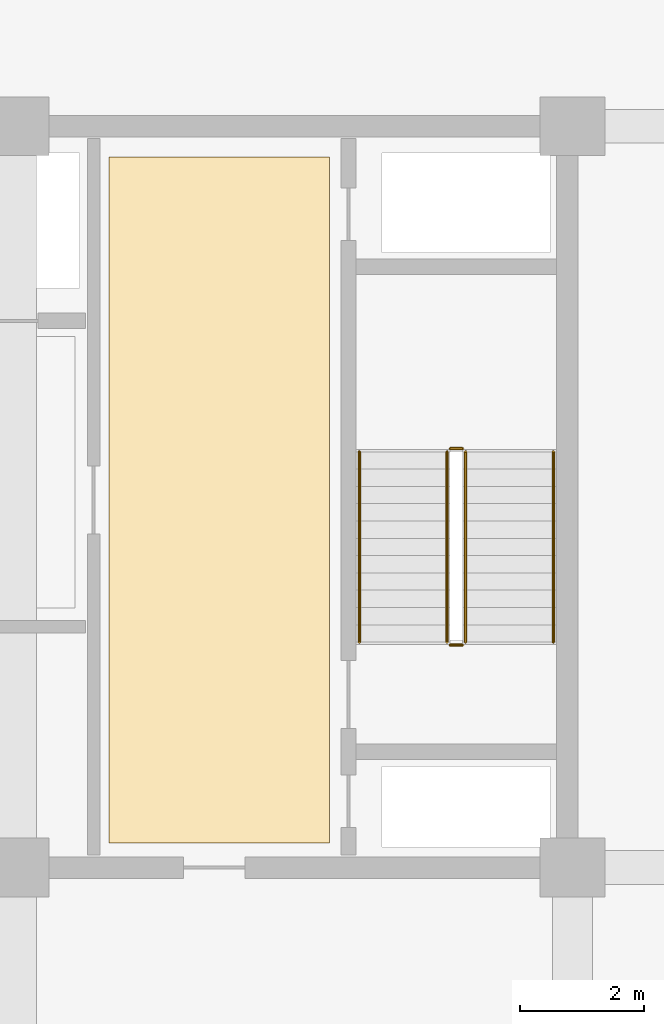
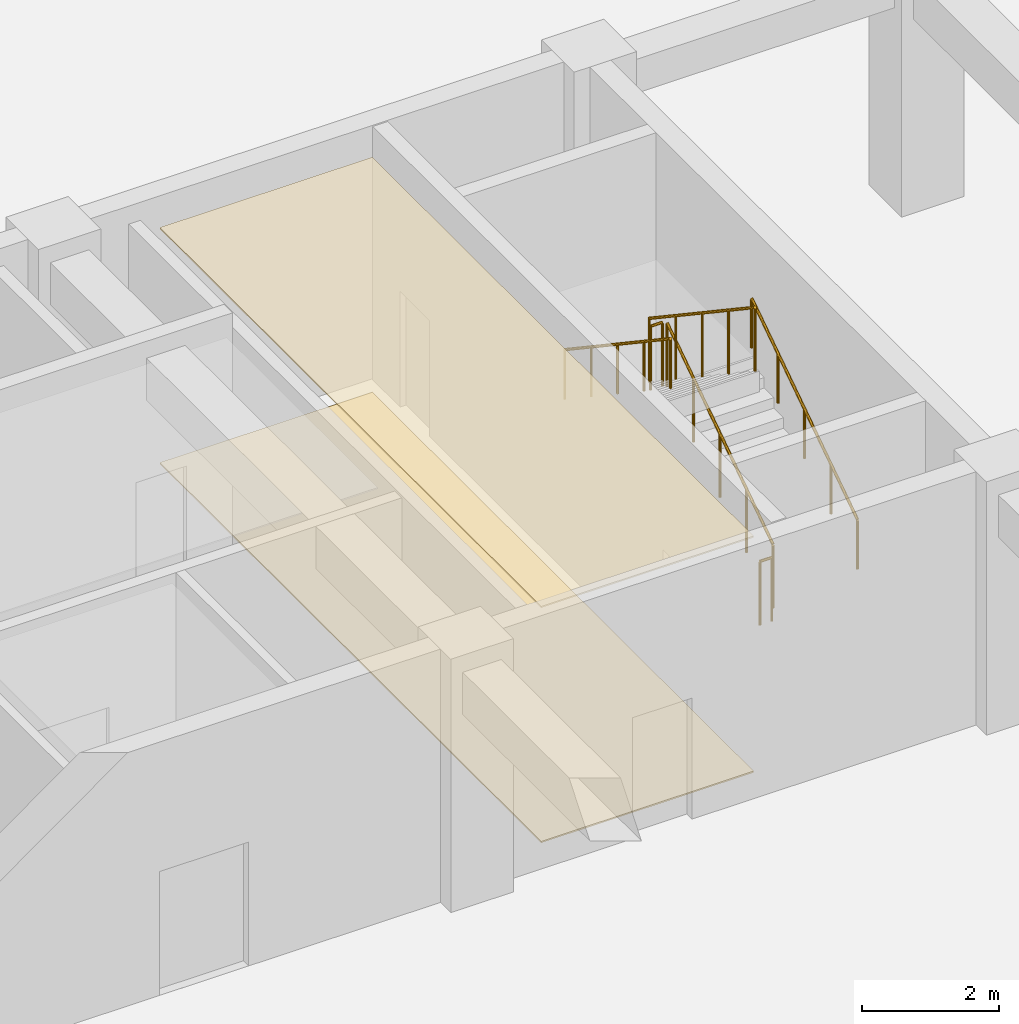
# One storey, part 36 of 43: 6 railings, 2 coverings.
"""IFC4 building model written with IfcOpenShell, lengths in metres."""

from ifc_helpers import new_model, si_unit, direction, frame, origin, origin_2d, place, context, subcontext, project, spatial, polyline, circle, outline, extrude, material, layer, layer_set, type_object, element, save


model = new_model("IFC4")

# Units and contexts
model_context = context("Model", 3, precision=1e-05, world=origin(), true_north=direction((0.0, 1.0)))
body_context = subcontext(model_context, "Body", "Model", "MODEL_VIEW")
ifc_project = project(units=[si_unit("LENGTHUNIT", "METRE"), si_unit("AREAUNIT", "SQUARE_METRE"), si_unit("VOLUMEUNIT", "CUBIC_METRE"), si_unit("PLANEANGLEUNIT", "RADIAN"), si_unit("MASSUNIT", "GRAM", prefix="KILO")], contexts=[model_context])

# Site, building, storey
site_placement = place(None, origin())
site = spatial("IfcSite", under=ifc_project, at=site_placement, CompositionType="ELEMENT")
building_placement = place(site_placement, origin())
building = spatial("IfcBuilding", under=site, at=building_placement, Name="Korimba Cascade Residences", CompositionType="ELEMENT")
storey_placement = place(building_placement, frame((0.0, 0.0, 10.0)))
storey = spatial("IfcBuildingStorey", under=building, at=storey_placement, Name="L02", CompositionType="ELEMENT", Elevation=10.0)

# Coverings
ifc_material_1 = material(Name="Perforated Acoustic Gypsum Ceiling", Category="gypsum")
ifc_layer_1 = layer(ifc_material_1, 0.02490234375)
ifc_layer_set_1 = layer_set([ifc_layer_1], Name="Perforated Acoustic Gypsum Ceiling")
covering_type_1 = type_object("IfcCoveringType", Name="COV-CLG-AC", PredefinedType="CEILING", material=ifc_layer_set_1)
covering_1_placement = place(storey_placement, frame((0.0, 0.0, 4.175048828125)))
element("IfcCovering", 1, at=covering_1_placement, inside=storey, type_object=covering_type_1, Name="L02 Suspended Acoustic Ceiling L02-EV2", PredefinedType="CEILING", context=body_context, shape_type="SweptSolid", body=[
    extrude(outline(polyline([(110.60009765625, 18.800048828125), (114.169921875, 18.800048828125), (114.169921875, 29.89990234375), (110.60009765625, 29.89990234375), (110.60009765625, 18.800048828125)])), origin(), (0.0, 0.0, 1.0), 0.02490234375),
])
ifc_material_2 = material(Name="Honed Travertine Stone Flooring", Category="masonry")
ifc_layer_2 = layer(ifc_material_2, 0.02490234375)
ifc_layer_set_2 = layer_set([ifc_layer_2], Name="Honed Travertine Stone Flooring")
covering_type_2 = type_object("IfcCoveringType", Name="COV-FLR-STN", PredefinedType="FLOORING", material=ifc_layer_set_2)
covering_2_placement = place(storey_placement, origin())
element("IfcCovering", 2, at=covering_2_placement, inside=storey, type_object=covering_type_2, Name="L02 Honed Travertine Stone Flooring L02-EV2", PredefinedType="FLOORING", context=body_context, shape_type="SweptSolid", body=[
    extrude(outline(polyline([(110.60009765625, 18.800048828125), (114.169921875, 18.800048828125), (114.169921875, 29.89990234375), (110.60009765625, 29.89990234375), (110.60009765625, 18.800048828125)])), origin(), (0.0, 0.0, 1.0), 0.02490234375),
])

# Railings
ifc_material_3 = material(Name="Painted Steel Stairwell Guardrail", Category="steel")
railing_type_1 = type_object("IfcRailingType", Name="RLG-ST-GD1150", PredefinedType="GUARDRAIL", material=ifc_material_3)
railing_1_placement = place(storey_placement, frame((116.3701171875, 22.050048828125, 0.1875)))
element("IfcRailing", 3, at=railing_1_placement, inside=storey, type_object=railing_type_1, Name="L02 ST-E2 stair guard 1", PredefinedType="GUARDRAIL", context=body_context, shape_type="SweptSolid", body=[
    extrude(circle(Radius=0.02392578125, at=origin_2d()), frame((0.0, 0.0, 1.1259765625), z_axis=(0.0, 0.830893310487, 0.556431762742), x_axis=(-1.0, 0.0, 0.0)), (0.0, 0.0, 1.0), 3.70654296875),
    extrude(circle(Radius=0.02099609375, at=origin_2d()), origin(), (0.0, 0.0, 1.0), 1.101806640625),
    extrude(circle(Radius=0.02099609375, at=origin_2d()), frame((0.0, 0.77001953125, 0.515625)), (0.0, 0.0, 1.0), 1.101806640625),
    extrude(circle(Radius=0.02099609375, at=origin_2d()), frame((0.0, 1.5400390625, 1.03125)), (0.0, 0.0, 1.0), 1.101806640625),
    extrude(circle(Radius=0.02099609375, at=origin_2d()), frame((0.0, 2.309814453125, 1.546875)), (0.0, 0.0, 1.0), 1.101806640625),
    extrude(circle(Radius=0.02099609375, at=origin_2d()), frame((0.0, 3.079833984375, 2.0625)), (0.0, 0.0, 1.0), 1.101806640625),
])
railing_2_placement = place(storey_placement, frame((116.320068359375, 25.179931640625, 2.25)))
element("IfcRailing", 4, at=railing_2_placement, inside=storey, type_object=railing_type_1, Name="L02 ST-E2 stair guard 2", PredefinedType="GUARDRAIL", context=body_context, shape_type="SweptSolid", body=[
    extrude(circle(Radius=0.02392578125, at=origin_2d()), frame((0.0, 0.0, 1.1259765625), z_axis=(-1.0, 0.0, 0.0), x_axis=(0.0, -1.0, 0.0)), (0.0, 0.0, 1.0), 0.199951171875),
    extrude(circle(Radius=0.02099609375, at=origin_2d()), origin(), (0.0, 0.0, 1.0), 1.101806640625),
    extrude(circle(Radius=0.02099609375, at=origin_2d()), frame((-0.199951171875, 0.0, 0.0)), (0.0, 0.0, 1.0), 1.101806640625),
])
railing_3_placement = place(storey_placement, frame((116.070068359375, 25.1298828125, 2.4375)))
element("IfcRailing", 5, at=railing_3_placement, inside=storey, type_object=railing_type_1, Name="L02 ST-E2 stair guard 3", PredefinedType="GUARDRAIL", context=body_context, shape_type="SweptSolid", body=[
    extrude(circle(Radius=0.02392578125, at=origin_2d()), frame((0.0, 0.0, 1.1259765625), z_axis=(0.0, -0.830893310487, 0.556431762742), x_axis=(1.0, 0.0, 0.0)), (0.0, 0.0, 1.0), 3.70654296875),
    extrude(circle(Radius=0.02099609375, at=origin_2d()), origin(), (0.0, 0.0, 1.0), 1.101806640625),
    extrude(circle(Radius=0.02099609375, at=origin_2d()), frame((0.0, -0.77001953125, 0.515625)), (0.0, 0.0, 1.0), 1.101806640625),
    extrude(circle(Radius=0.02099609375, at=origin_2d()), frame((0.0, -1.5400390625, 1.03125)), (0.0, 0.0, 1.0), 1.101806640625),
    extrude(circle(Radius=0.02099609375, at=origin_2d()), frame((0.0, -2.309814453125, 1.546875)), (0.0, 0.0, 1.0), 1.101806640625),
    extrude(circle(Radius=0.02099609375, at=origin_2d()), frame((0.0, -3.079833984375, 2.0625)), (0.0, 0.0, 1.0), 1.101806640625),
])
railing_4_placement = place(storey_placement, frame((116.320068359375, 22.0, 0.0)))
element("IfcRailing", 6, at=railing_4_placement, inside=storey, type_object=railing_type_1, Name="L02 ST-E2 stair guard 4", PredefinedType="GUARDRAIL", context=body_context, shape_type="SweptSolid", body=[
    extrude(circle(Radius=0.02392578125, at=origin_2d()), frame((0.0, 0.0, 1.1259765625), z_axis=(-1.0, 0.0, 0.0), x_axis=(0.0, -1.0, 0.0)), (0.0, 0.0, 1.0), 0.199951171875),
    extrude(circle(Radius=0.02099609375, at=origin_2d()), origin(), (0.0, 0.0, 1.0), 1.101806640625),
    extrude(circle(Radius=0.02099609375, at=origin_2d()), frame((-0.199951171875, 0.0, 0.0)), (0.0, 0.0, 1.0), 1.101806640625),
])
ifc_material_4 = material(Name="Brushed Stainless Steel Handrail", Category="steel")
railing_type_2 = type_object("IfcRailingType", Name="RLG-ST-HR900", PredefinedType="HANDRAIL", material=ifc_material_4)
railing_5_placement = place(storey_placement, frame((117.7900390625, 22.050048828125, 0.379150390625)))
element("IfcRailing", 7, at=railing_5_placement, inside=storey, type_object=railing_type_2, Name="L02 ST-E2 stair handrail 1", PredefinedType="HANDRAIL", context=body_context, shape_type="SweptSolid", body=[
    extrude(circle(Radius=0.02392578125, at=origin_2d()), frame((0.0, 0.0, 0.8759765625), z_axis=(0.0, 0.830893310487, 0.556431762742), x_axis=(-1.0, 0.0, 0.0)), (0.0, 0.0, 1.0), 3.70654296875),
    extrude(circle(Radius=0.02099609375, at=origin_2d()), origin(), (0.0, 0.0, 1.0), 0.851806640625),
    extrude(circle(Radius=0.02099609375, at=origin_2d()), frame((0.0, 0.77001953125, 0.515625)), (0.0, 0.0, 1.0), 0.851806640625),
    extrude(circle(Radius=0.02099609375, at=origin_2d()), frame((0.0, 1.5400390625, 1.03125)), (0.0, 0.0, 1.0), 0.851806640625),
    extrude(circle(Radius=0.02099609375, at=origin_2d()), frame((0.0, 2.309814453125, 1.546875)), (0.0, 0.0, 1.0), 0.851806640625),
    extrude(circle(Radius=0.02099609375, at=origin_2d()), frame((0.0, 3.079833984375, 2.0625)), (0.0, 0.0, 1.0), 0.851806640625),
])
railing_6_placement = place(storey_placement, frame((114.64990234375, 25.1298828125, 2.629150390625)))
element("IfcRailing", 8, at=railing_6_placement, inside=storey, type_object=railing_type_2, Name="L02 ST-E2 stair handrail 2", PredefinedType="HANDRAIL", context=body_context, shape_type="SweptSolid", body=[
    extrude(circle(Radius=0.02392578125, at=origin_2d()), frame((0.0, 0.0, 0.8759765625), z_axis=(0.0, -0.830893310487, 0.556431762742), x_axis=(1.0, 0.0, 0.0)), (0.0, 0.0, 1.0), 3.70654296875),
    extrude(circle(Radius=0.02099609375, at=origin_2d()), origin(), (0.0, 0.0, 1.0), 0.851806640625),
    extrude(circle(Radius=0.02099609375, at=origin_2d()), frame((0.0, -0.77001953125, 0.515625)), (0.0, 0.0, 1.0), 0.851806640625),
    extrude(circle(Radius=0.02099609375, at=origin_2d()), frame((0.0, -1.5400390625, 1.03125)), (0.0, 0.0, 1.0), 0.851806640625),
    extrude(circle(Radius=0.02099609375, at=origin_2d()), frame((0.0, -2.309814453125, 1.546875)), (0.0, 0.0, 1.0), 0.851806640625),
    extrude(circle(Radius=0.02099609375, at=origin_2d()), frame((0.0, -3.079833984375, 2.0625)), (0.0, 0.0, 1.0), 0.851806640625),
])

save(model, "model.ifc")
